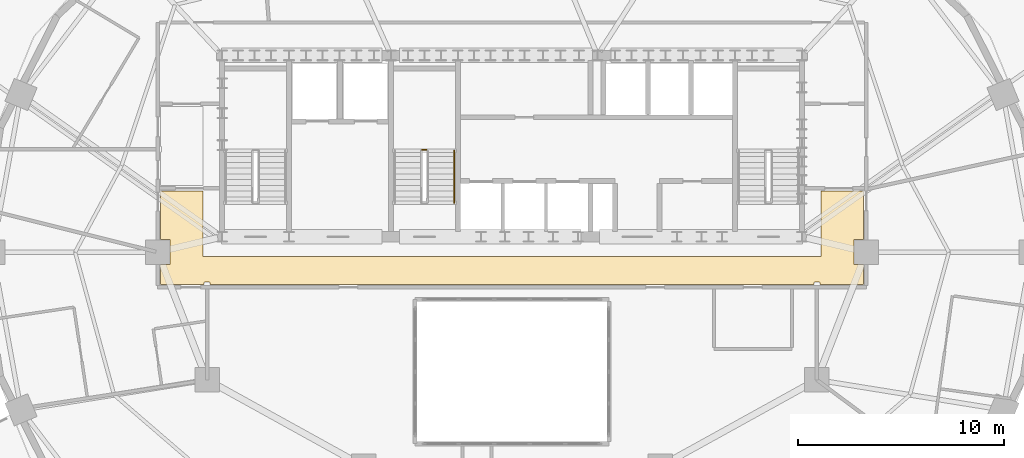
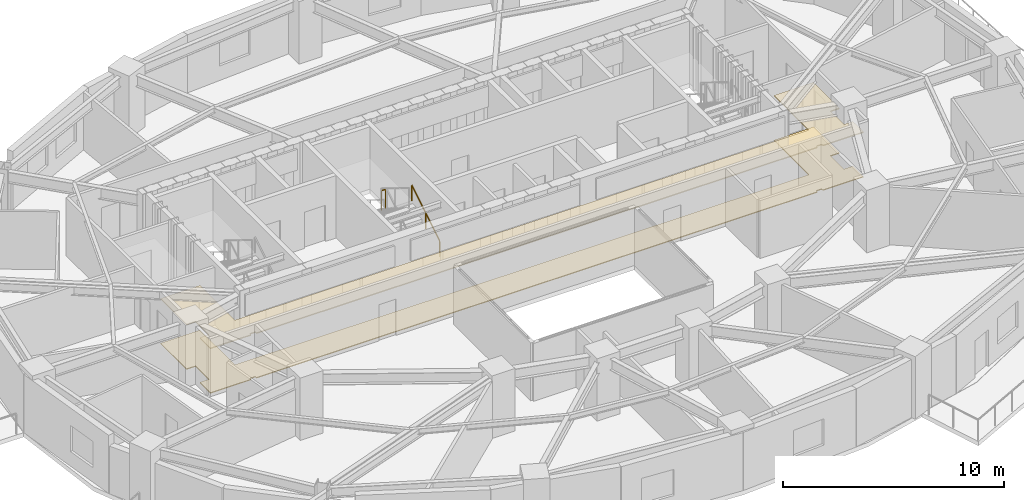
# One storey, part 11 of 12: 2 coverings, 2 railings.
"""IFC4 building model written with IfcOpenShell, lengths in metres."""

from ifc_helpers import new_model, si_unit, direction, frame, origin, origin_2d, place, context, subcontext, project, spatial, polyline, rectangle, outline, extrude, material, layer, layer_set, type_object, element, save


model = new_model("IFC4")

# Units and contexts
model_context = context("Model", 3, precision=1e-05, world=origin(), true_north=direction((0.0, 1.0)))
body_context = subcontext(model_context, "Body", "Model", "MODEL_VIEW")
ifc_project = project(units=[si_unit("LENGTHUNIT", "METRE"), si_unit("AREAUNIT", "SQUARE_METRE"), si_unit("VOLUMEUNIT", "CUBIC_METRE"), si_unit("PLANEANGLEUNIT", "RADIAN"), si_unit("MASSUNIT", "GRAM", prefix="KILO")], contexts=[model_context])

# Site, building, storey
site_placement = place(None, origin())
site = spatial("IfcSite", under=ifc_project, at=site_placement, CompositionType="ELEMENT")
building_placement = place(site_placement, origin())
building = spatial("IfcBuilding", under=site, at=building_placement, Name="Haldorwick Loom Tower", CompositionType="ELEMENT")
storey_placement = place(building_placement, frame((0.0, 0.0, 161.35009765625)))
storey = spatial("IfcBuildingStorey", under=building, at=storey_placement, Name="L43", CompositionType="ELEMENT", Elevation=161.35009765625)

# Coverings
ifc_material_1 = material(Name="Mineral Fibre Acoustic Ceiling Tile")
ifc_layer_1 = layer(ifc_material_1, 0.054931640625, Name="Mineral Fibre Acoustic Ceiling Tile")
ifc_layer_set_1 = layer_set([ifc_layer_1], Name="Mineral Fibre Acoustic Ceiling Tile")
covering_type_1 = type_object("IfcCoveringType", Name="ARC-COV-CEIL2", PredefinedType="CEILING", material=ifc_layer_set_1)
covering_1_placement = place(storey_placement, frame((0.0, 0.0, 2.4580078125)))
element("IfcCovering", 1, at=covering_1_placement, inside=storey, type_object=covering_type_1, Name="L43 Acoustic Suspended Ceiling 1", PredefinedType="CEILING", context=body_context, shape_type="SweptSolid", body=[
    extrude(outline(polyline([(21.320068359375, 24.5400390625), (21.322021484375, 24.539794921875), (21.323974609375, 24.53955078125), (21.32568359375, 24.5390625), (21.32763671875, 24.53857421875), (21.329345703125, 24.53759765625), (21.3310546875, 24.53662109375), (21.332763671875, 24.535400390625), (21.333984375, 24.5341796875), (21.33544921875, 24.53271484375), (21.336669921875, 24.531005859375), (21.337646484375, 24.529296875), (21.33837890625, 24.527587890625), (21.339111328125, 24.52587890625), (21.339599609375, 24.52392578125), (21.33984375, 24.52197265625), (21.340087890625, 24.52001953125), (21.340087890625, 24.43994140625), (50.659912109375, 24.43994140625), (50.659912109375, 24.52001953125), (50.66015625, 24.52197265625), (50.660400390625, 24.52392578125), (50.660888671875, 24.52587890625), (50.66162109375, 24.527587890625), (50.662353515625, 24.529296875), (50.663330078125, 24.531005859375), (50.66455078125, 24.53271484375), (50.666015625, 24.5341796875), (50.667236328125, 24.535400390625), (50.6689453125, 24.53662109375), (50.670654296875, 24.53759765625), (50.67236328125, 24.53857421875), (50.67431640625, 24.5390625), (50.676025390625, 24.53955078125), (50.677978515625, 24.539794921875), (50.679931640625, 24.5400390625), (50.919921875, 24.5400390625), (50.922119140625, 24.539794921875), (50.923828125, 24.53955078125), (50.92578125, 24.5390625), (50.927734375, 24.53857421875), (50.929443359375, 24.53759765625), (50.93115234375, 24.53662109375), (50.9326171875, 24.535400390625), (50.93408203125, 24.5341796875), (50.935546875, 24.53271484375), (50.9365234375, 24.531005859375), (50.9375, 24.529296875), (50.9384765625, 24.527587890625), (50.939208984375, 24.52587890625), (50.939697265625, 24.52392578125), (50.93994140625, 24.52197265625), (50.93994140625, 24.52001953125), (50.93994140625, 24.43994140625), (53.06005859375, 24.43994140625), (53.06005859375, 25.39208984375), (52.592041015625, 25.39208984375), (52.592041015625, 26.60791015625), (53.06005859375, 26.60791015625), (53.06005859375, 28.9599609375), (51.0, 28.9599609375), (51.0, 25.800048828125), (21.0, 25.800048828125), (21.0, 28.9599609375), (18.93994140625, 28.9599609375), (18.93994140625, 26.60791015625), (19.407958984375, 26.60791015625), (19.407958984375, 25.39208984375), (18.93994140625, 25.39208984375), (18.93994140625, 24.43994140625), (21.06005859375, 24.43994140625), (21.06005859375, 24.52001953125), (21.06005859375, 24.52197265625), (21.060302734375, 24.52392578125), (21.060791015625, 24.52587890625), (21.0615234375, 24.527587890625), (21.0625, 24.529296875), (21.0634765625, 24.531005859375), (21.064453125, 24.53271484375), (21.06591796875, 24.5341796875), (21.0673828125, 24.535400390625), (21.06884765625, 24.53662109375), (21.070556640625, 24.53759765625), (21.072265625, 24.53857421875), (21.07421875, 24.5390625), (21.076171875, 24.53955078125), (21.077880859375, 24.539794921875), (21.080078125, 24.5400390625), (21.320068359375, 24.5400390625)])), origin(), (0.0, 0.0, 1.0), 0.054931640625),
])
ifc_material_2 = material(Name="Polished Aggregate Terrazzo Finish")
ifc_layer_2 = layer(ifc_material_2, 0.044921875, Name="Polished Aggregate Terrazzo Finish")
ifc_layer_set_2 = layer_set([ifc_layer_2], Name="Polished Aggregate Terrazzo Finish")
covering_type_2 = type_object("IfcCoveringType", Name="ARC-COV-FLOOR2", PredefinedType="FLOORING", material=ifc_layer_set_2)
covering_2_placement = place(storey_placement, origin())
element("IfcCovering", 2, at=covering_2_placement, inside=storey, type_object=covering_type_2, Name="L43 Floor Finish 1", PredefinedType="FLOORING", context=body_context, shape_type="SweptSolid", body=[
    extrude(outline(polyline([(21.320068359375, 24.5400390625), (21.322021484375, 24.539794921875), (21.323974609375, 24.53955078125), (21.32568359375, 24.5390625), (21.32763671875, 24.53857421875), (21.329345703125, 24.53759765625), (21.3310546875, 24.53662109375), (21.332763671875, 24.535400390625), (21.333984375, 24.5341796875), (21.33544921875, 24.53271484375), (21.336669921875, 24.531005859375), (21.337646484375, 24.529296875), (21.33837890625, 24.527587890625), (21.339111328125, 24.52587890625), (21.339599609375, 24.52392578125), (21.33984375, 24.52197265625), (21.340087890625, 24.52001953125), (21.340087890625, 24.43994140625), (50.659912109375, 24.43994140625), (50.659912109375, 24.52001953125), (50.66015625, 24.52197265625), (50.660400390625, 24.52392578125), (50.660888671875, 24.52587890625), (50.66162109375, 24.527587890625), (50.662353515625, 24.529296875), (50.663330078125, 24.531005859375), (50.66455078125, 24.53271484375), (50.666015625, 24.5341796875), (50.667236328125, 24.535400390625), (50.6689453125, 24.53662109375), (50.670654296875, 24.53759765625), (50.67236328125, 24.53857421875), (50.67431640625, 24.5390625), (50.676025390625, 24.53955078125), (50.677978515625, 24.539794921875), (50.679931640625, 24.5400390625), (50.919921875, 24.5400390625), (50.922119140625, 24.539794921875), (50.923828125, 24.53955078125), (50.92578125, 24.5390625), (50.927734375, 24.53857421875), (50.929443359375, 24.53759765625), (50.93115234375, 24.53662109375), (50.9326171875, 24.535400390625), (50.93408203125, 24.5341796875), (50.935546875, 24.53271484375), (50.9365234375, 24.531005859375), (50.9375, 24.529296875), (50.9384765625, 24.527587890625), (50.939208984375, 24.52587890625), (50.939697265625, 24.52392578125), (50.93994140625, 24.52197265625), (50.93994140625, 24.52001953125), (50.93994140625, 24.43994140625), (53.06005859375, 24.43994140625), (53.06005859375, 25.39208984375), (52.592041015625, 25.39208984375), (52.592041015625, 26.60791015625), (53.06005859375, 26.60791015625), (53.06005859375, 28.9599609375), (51.0, 28.9599609375), (51.0, 25.800048828125), (21.0, 25.800048828125), (21.0, 28.9599609375), (18.93994140625, 28.9599609375), (18.93994140625, 26.60791015625), (19.407958984375, 26.60791015625), (19.407958984375, 25.39208984375), (18.93994140625, 25.39208984375), (18.93994140625, 24.43994140625), (21.06005859375, 24.43994140625), (21.06005859375, 24.52001953125), (21.06005859375, 24.52197265625), (21.060302734375, 24.52392578125), (21.060791015625, 24.52587890625), (21.0615234375, 24.527587890625), (21.0625, 24.529296875), (21.0634765625, 24.531005859375), (21.064453125, 24.53271484375), (21.06591796875, 24.5341796875), (21.0673828125, 24.535400390625), (21.06884765625, 24.53662109375), (21.070556640625, 24.53759765625), (21.072265625, 24.53857421875), (21.07421875, 24.5390625), (21.076171875, 24.53955078125), (21.077880859375, 24.539794921875), (21.080078125, 24.5400390625), (21.320068359375, 24.5400390625)])), origin(), (0.0, 0.0, 1.0), 0.044921875),
])

# Railings
ifc_material_3 = material(Name="Steel CSA G40.21 350W", Category="steel")
railing_type_1 = type_object("IfcRailingType", Name="ARC-RLG-GUARD112", PredefinedType="GUARDRAIL", material=ifc_material_3)
railing_1_placement = place(storey_placement, frame((31.85009765625, 30.969970703125, 1.724853515625)))
element("IfcRailing", 3, at=railing_1_placement, inside=storey, type_object=railing_type_1, Name="L43 ST-03 stair guard 2", PredefinedType="GUARDRAIL", context=body_context, shape_type="SweptSolid", body=[
    extrude(rectangle(XDim=0.048095703125, YDim=0.048095703125, at=origin_2d()), frame((0.0, 0.0, 1.076171875), z_axis=(-1.0, 0.0, 0.0), x_axis=(0.0, -1.0, 0.0)), (0.0, 0.0, 1.0), 0.2001953125),
    extrude(rectangle(XDim=0.0419921875, YDim=0.0419921875, at=origin_2d()), origin(), (0.0, 0.0, 1.0), 1.052001953125),
    extrude(rectangle(XDim=0.0419921875, YDim=0.0419921875, at=origin_2d()), frame((-0.2001953125, 0.0, 0.0)), (0.0, 0.0, 1.0), 1.052001953125),
])
railing_type_2 = type_object("IfcRailingType", Name="ARC-RLG-HAND092", PredefinedType="HANDRAIL", material=ifc_material_3)
railing_2_placement = place(storey_placement, frame((33.199951171875, 28.39990234375, 0.17236328125)))
element("IfcRailing", 4, at=railing_2_placement, inside=storey, type_object=railing_type_2, Name="L43 ST-03 stair handrail 1", PredefinedType="HANDRAIL", context=body_context, shape_type="SweptSolid", body=[
    extrude(rectangle(XDim=0.048095703125, YDim=0.048095703125, at=origin_2d()), frame((0.0, 0.0, 0.8759765625), z_axis=(0.0, 0.851400495292, 0.524516154772), x_axis=(-1.0, 0.0, 0.0)), (0.0, 0.0, 1.0), 2.9599609375),
    extrude(rectangle(XDim=0.0419921875, YDim=0.0419921875, at=origin_2d()), origin(), (0.0, 0.0, 1.0), 0.851806640625),
    extrude(rectangle(XDim=0.0419921875, YDim=0.0419921875, at=origin_2d()), frame((0.0, 1.260009765625, 0.7763671875)), (0.0, 0.0, 1.0), 0.851806640625),
    extrude(rectangle(XDim=0.0419921875, YDim=0.0419921875, at=origin_2d()), frame((0.0, 2.52001953125, 1.552490234375)), (0.0, 0.0, 1.0), 0.851806640625),
])

save(model, "model.ifc")
